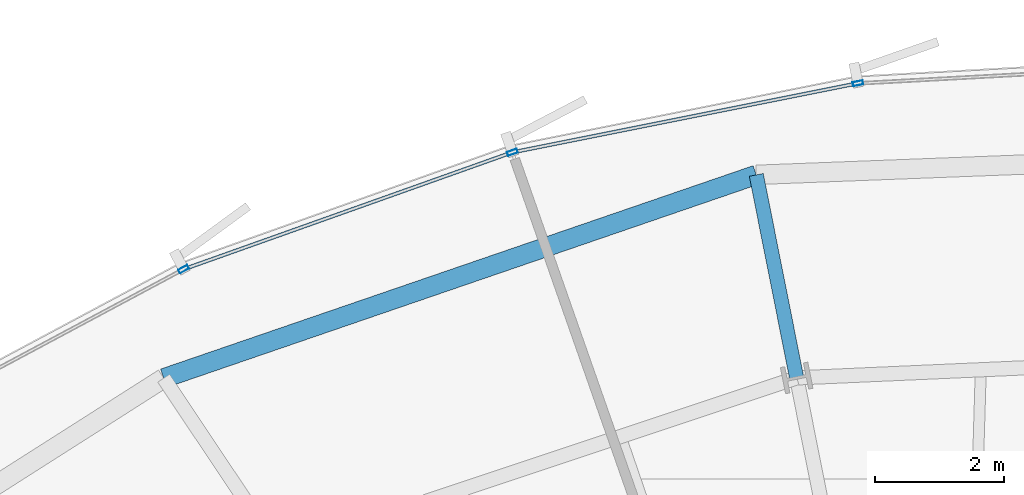
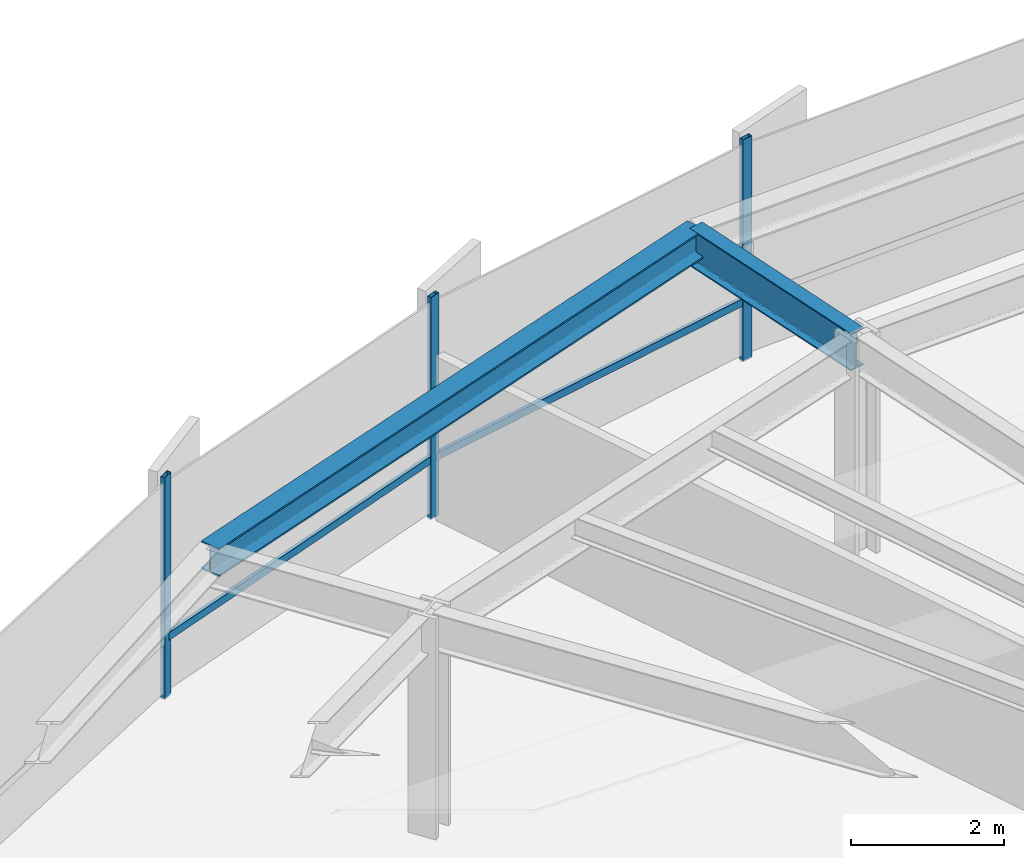
# One storey, part 21 of 37: 5 members, 2 beams, 1 element without a shape of its own.
"""IFC4 building model written with IfcOpenShell, lengths in metres."""

from ifc_helpers import new_model, si_unit, direction, frame, origin, origin_2d, place, context, subcontext, project, spatial, hollow_rectangle, i_section, extrude, source, transform, mapped, material, layer, layer_set, material_profile, profile_set, type_object, element, aggregate, save


model = new_model("IFC4")

# Units and contexts
model_context = context("Model", 3, precision=1e-05, world=origin(), true_north=direction((0.0, 1.0)))
body_context = subcontext(model_context, "Body", "Model", "MODEL_VIEW")
ifc_project = project(units=[si_unit("LENGTHUNIT", "METRE"), si_unit("AREAUNIT", "SQUARE_METRE"), si_unit("VOLUMEUNIT", "CUBIC_METRE"), si_unit("PLANEANGLEUNIT", "RADIAN"), si_unit("MASSUNIT", "GRAM", prefix="KILO"), si_unit("THERMODYNAMICTEMPERATUREUNIT", "KELVIN")], contexts=[model_context])

# Site, building, storey
site_placement = place(None, origin())
site = spatial("IfcSite", under=ifc_project, at=site_placement, CompositionType="ELEMENT")
building_placement = place(site_placement, origin())
building = spatial("IfcBuilding", under=site, at=building_placement, Name="Kethvar Cultural Tower", CompositionType="ELEMENT")
storey_placement = place(building_placement, frame((0.0, 0.0, 60.0)))
storey = spatial("IfcBuildingStorey", under=building, at=storey_placement, Name="L14", CompositionType="ELEMENT", Elevation=60.0)

# Beams
ifc_material_1 = material(Name="Steel S355J2", Category="steel")
ifc_material_profile_1 = material_profile(ifc_material_1, i_section(OverallWidth=0.219970703125, OverallDepth=0.60009765625, WebThickness=0.011962890625, FlangeThickness=0.01904296875, FilletRadius=0.02392578125, at=origin_2d()), Name="Steel S355J2 — IPE600")
ifc_profile_set_1 = profile_set([ifc_material_profile_1], Name="Steel S355J2 — IPE600")
beam_type_1 = type_object("IfcBeamType", Name="BM-IPE600", PredefinedType="BEAM", material=ifc_profile_set_1)
shared_shape_1 = source(origin(), body_context, "Body", "SweptSolid", [
    extrude(i_section(OverallWidth=0.219970703125, OverallDepth=0.60009765625, WebThickness=0.011962890625, FlangeThickness=0.01904296875, FilletRadius=0.02392578125, at=origin_2d()), origin(), (0.0, 0.0, 1.0), 3.199951171875),
])
beam_1_placement = place(storey_placement, frame((42.651611328125, 48.65576171875, 3.248046875), z_axis=(-0.195162356126, 0.980770949178, 0.0), x_axis=(-0.980770949178, -0.195162356126, 0.0)))
element("IfcBeam", 1, at=beam_1_placement, inside=storey, type_object=beam_type_1, Name="L14 Perimeter Cantilever Beam RC-05", PredefinedType="BEAM", context=body_context, shape_type="MappedRepresentation", body=[
    mapped(shared_shape_1, transform((0.0, 0.0, 0.0), scale=1.0)),
])
ifc_material_profile_2 = material_profile(ifc_material_1, i_section(OverallWidth=0.300048828125, OverallDepth=0.449951171875, WebThickness=0.013916015625, FlangeThickness=0.02587890625, FilletRadius=0.027099609375, at=origin_2d()), Name="Steel S355J2 — HEB450")
ifc_profile_set_2 = profile_set([ifc_material_profile_2], Name="Steel S355J2 — HEB450")
beam_type_2 = type_object("IfcBeamType", Name="BM-SP450", PredefinedType="SPANDREL", material=ifc_profile_set_2)
shared_shape_2 = source(origin(), body_context, "Body", "SweptSolid", [
    extrude(i_section(OverallWidth=0.300048828125, OverallDepth=0.449951171875, WebThickness=0.013916015625, FlangeThickness=0.02587890625, FilletRadius=0.027099609375, at=origin_2d()), origin(), (0.0, 0.0, 1.0), 9.683349609375),
])
beam_2_placement = place(storey_placement, frame((42.027099609375, 51.794189453125, 3.322998046875), z_axis=(-0.945832074112, -0.324656260652, 0.0), x_axis=(0.324656260652, -0.945832074112, 0.0)))
element("IfcBeam", 2, at=beam_2_placement, inside=storey, type_object=beam_type_2, Name="L14 Perimeter Spandrel Beam SP-05", PredefinedType="SPANDREL", context=body_context, shape_type="MappedRepresentation", body=[
    mapped(shared_shape_2, transform((0.0, 0.0, 0.0), scale=1.0)),
])

# Curtain wall, members
ifc_material_2 = material(Name="Aluminium 6063-T6", Category="aluminium")
ifc_layer = layer(ifc_material_2, 0.179931640625, Name="Aluminium 6063-T6", Category="aluminium")
ifc_layer_set = layer_set([ifc_layer], Name="Aluminium 6063-T6 (180 mm)")
curtain_wall_type = type_object("IfcCurtainWallType", Name="CW-SYS-02-Z1", PredefinedType="NOTDEFINED", material=ifc_layer_set)
curtain_wall_placement = place(storey_placement, origin())
curtain_wall = element("IfcCurtainWall", 3, at=curtain_wall_placement, inside=storey, type_object=curtain_wall_type, Name="L14 Curtain Wall Run 02", PredefinedType="NOTDEFINED")
ifc_material_profile_3 = material_profile(ifc_material_2, hollow_rectangle(XDim=0.06494140625, YDim=0.159912109375, WallThickness=0.0048828125, at=origin_2d()), Name="Aluminium 6063-T6 — RHS160x65x5")
ifc_profile_set_3 = profile_set([ifc_material_profile_3], Name="Aluminium 6063-T6 — RHS160x65x5")
member_type_1 = type_object("IfcMemberType", Name="CW-SYS-02-Z1-MUL", PredefinedType="MULLION", material=ifc_profile_set_3)
shared_shape_3 = source(origin(), body_context, "Body", "SweptSolid", [
    extrude(hollow_rectangle(XDim=0.06494140625, YDim=0.159912109375, WallThickness=0.0048828125, at=origin_2d()), origin(), (0.0, 0.0, 1.0), 3.550048828125),
])
member_1_placement = place(storey_placement, frame((43.5986328125, 53.209228515625, 0.0), z_axis=(0.0, 0.0, 1.0), x_axis=(0.195980374032, -0.980607818138, 0.0)))
member_1 = element("IfcMember", 4, at=member_1_placement, type_object=member_type_1, Name="CW-L14-R02 Mullion 4", PredefinedType="MULLION", context=body_context, shape_type="MappedRepresentation", body=[
    mapped(shared_shape_3, transform((0.0, 0.0, 0.0), scale=1.0)),
])
member_2_placement = place(storey_placement, frame((38.257080078125, 52.142822265625, 0.0), z_axis=(0.0, 0.0, 1.0), x_axis=(0.335270701522, -0.942121837503, 0.0)))
member_2 = element("IfcMember", 5, at=member_2_placement, type_object=member_type_1, Name="CW-L14-R02 Mullion 5", PredefinedType="MULLION", context=body_context, shape_type="MappedRepresentation", body=[
    mapped(shared_shape_3, transform((0.0, 0.0, 0.0), scale=1.0)),
])
member_3_placement = place(storey_placement, frame((33.176025390625, 50.336181640625, 0.0), z_axis=(0.0, 0.0, 1.0), x_axis=(0.471319772882, -0.881962398116, 0.0)))
member_3 = element("IfcMember", 6, at=member_3_placement, type_object=member_type_1, Name="CW-L14-R02 Mullion 6", PredefinedType="MULLION", context=body_context, shape_type="MappedRepresentation", body=[
    mapped(shared_shape_3, transform((0.0, 0.0, 0.0), scale=1.0)),
])
ifc_material_profile_4 = material_profile(ifc_material_2, hollow_rectangle(XDim=0.054931640625, YDim=0.1201171875, WallThickness=0.00390625, at=origin_2d()), Name="Aluminium 6063-T6 — RHS120x55x4")
ifc_profile_set_4 = profile_set([ifc_material_profile_4], Name="Aluminium 6063-T6 — RHS120x55x4")
member_type_2 = type_object("IfcMemberType", Name="CW-SYS-02-Z1-TRN", PredefinedType="USERDEFINED", material=ifc_profile_set_4)
shared_shape_4 = source(origin(), body_context, "Body", "SweptSolid", [
    extrude(hollow_rectangle(XDim=0.054931640625, YDim=0.1201171875, WallThickness=0.00390625, at=origin_2d()), origin(), (0.0, 0.0, 1.0), 5.37060546875),
])
member_4_placement = place(storey_placement, frame((43.552734375, 53.2001953125, 0.949951171875), z_axis=(-0.980599903704, -0.196019970552, 0.0), x_axis=(0.196019970552, -0.980599903704, 0.0)))
member_4 = element("IfcMember", 7, at=member_4_placement, type_object=member_type_2, Name="CW-L14-R02 Transom 4", ObjectType="TRANSOM", PredefinedType="USERDEFINED", context=body_context, shape_type="MappedRepresentation", body=[
    mapped(shared_shape_4, transform((0.0, 0.0, 0.0), scale=1.0)),
])
shared_shape_5 = source(origin(), body_context, "Body", "SweptSolid", [
    extrude(hollow_rectangle(XDim=0.054931640625, YDim=0.1201171875, WallThickness=0.00390625, at=origin_2d()), origin(), (0.0, 0.0, 1.0), 5.317138671875),
])
member_5_placement = place(storey_placement, frame((38.213134765625, 52.127197265625, 0.949951171875), z_axis=(-0.942117382196, -0.335283220821, 0.0), x_axis=(0.335283220821, -0.942117382196, 0.0)))
member_5 = element("IfcMember", 8, at=member_5_placement, type_object=member_type_2, Name="CW-L14-R02 Transom 5", ObjectType="TRANSOM", PredefinedType="USERDEFINED", context=body_context, shape_type="MappedRepresentation", body=[
    mapped(shared_shape_5, transform((0.0, 0.0, 0.0), scale=1.0)),
])
aggregate(curtain_wall, [member_1, member_2, member_3, member_4, member_5])

save(model, "model.ifc")
